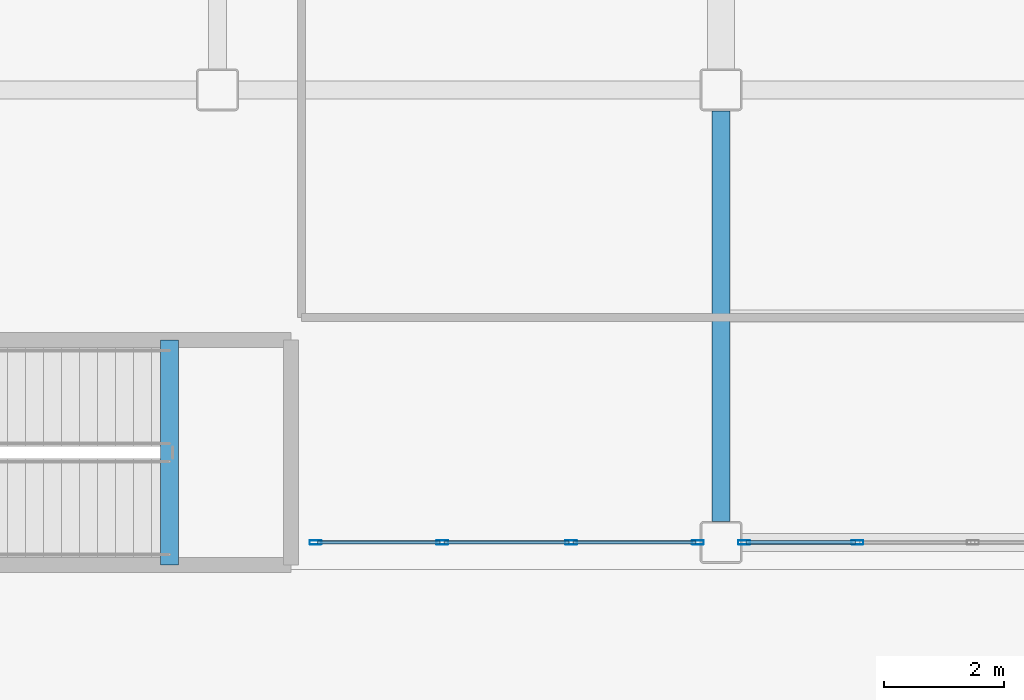
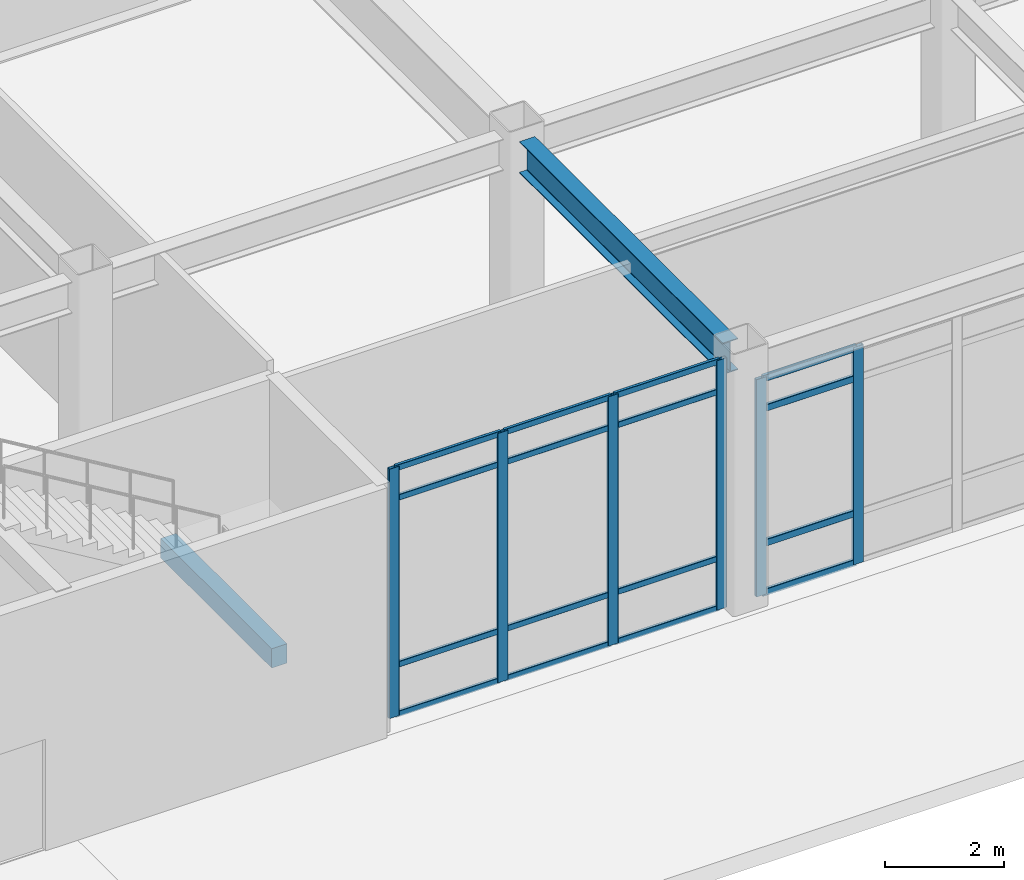
# One storey, part 9 of 165: 22 members, 2 beams, 2 elements without a shape of their own.
"""IFC4 building model written with IfcOpenShell, lengths in metres."""

import ifcopenshell
import ifcopenshell.guid

model = None  # the IFC model being written
_history = None  # IfcOwnerHistory: only IFC2X3 demands one
_inside = {}  # id of a spatial element -> (the spatial element, [elements in it])
_under = {}  # id of a project, library or spatial element -> (it, [spatial elements below it])
_declared = {}  # id of a project -> (the project, [libraries it declares])
_typed = {}  # id of a type object -> (the type object, [elements of that type])
_made_of = {}  # id of a material, layer set ... -> (it, [elements and type objects made of it])


def new_model(schema):
    """Start an empty IFC model of exactly this schema.

    Asked for "IFC4X3", IfcOpenShell would pick the latest addendum, in which some entities
    have other attributes; the version numbers below select the first issue.
    IFC2X3 requires an IfcOwnerHistory on every rooted entity: one is made here for all.
    """
    global model, _history
    if schema == "IFC4X3":
        model = ifcopenshell.file(schema_version=(4, 3, 0, 0))
    else:
        model = ifcopenshell.file(schema=schema)
    _inside.clear()
    _under.clear()
    _declared.clear()
    _typed.clear()
    _made_of.clear()
    _history = None
    if model.schema == "IFC2X3":
        org = make("IfcOrganization", Name="unknown")
        user = make(
            "IfcPersonAndOrganization",
            ThePerson=make("IfcPerson", FamilyName="unknown"),
            TheOrganization=org,
        )
        app = make(
            "IfcApplication",
            ApplicationDeveloper=org,
            Version="unknown",
            ApplicationFullName="unknown",
            ApplicationIdentifier="unknown",
        )
        _history = make(
            "IfcOwnerHistory",
            OwningUser=user,
            OwningApplication=app,
            ChangeAction="ADDED",
            CreationDate=0,
        )
    return model


def make(cls, **values):
    """One entity of the class cls with the attributes given. An attribute that is None is left unset."""
    return model.create_entity(
        cls, **{name: value for name, value in values.items() if value is not None}
    )


def rooted(cls, **values):
    """An entity with a GlobalId (a new one), such as an element, a storey or a relation."""
    return make(cls, GlobalId=ifcopenshell.guid.new(), OwnerHistory=_history, **values)


def si_unit(unit_type, name, prefix=None):
    """IfcSIUnit, for example si_unit("LENGTHUNIT", "METRE", prefix="MILLI")."""
    return make("IfcSIUnit", UnitType=unit_type, Prefix=prefix, Name=name)


def assignment(units):
    """IfcUnitAssignment: the units of a project."""
    return None if units is None else make("IfcUnitAssignment", Units=units)


def point(xyz):
    """IfcCartesianPoint."""
    return None if xyz is None else make("IfcCartesianPoint", Coordinates=xyz)


def direction(xyz):
    """IfcDirection."""
    return None if xyz is None else make("IfcDirection", DirectionRatios=xyz)


def frame(location, z_axis=None, x_axis=None):
    """IfcAxis2Placement3D, a coordinate frame: its origin and axes. An axis left out is left unset."""
    return make(
        "IfcAxis2Placement3D",
        Location=point(location),
        Axis=direction(z_axis),
        RefDirection=direction(x_axis),
    )


def frame_2d(location, x_axis=None):
    """IfcAxis2Placement2D, a coordinate frame in the plane: its origin and x axis."""
    return make(
        "IfcAxis2Placement2D", Location=point(location), RefDirection=direction(x_axis)
    )


def origin():
    """The frame at (0, 0, 0) with its axes left unset."""
    return frame((0.0, 0.0, 0.0))


def origin_2d():
    """The frame at (0, 0) in the plane with its x axis left unset."""
    return frame_2d((0.0, 0.0))


def place(relative_to, where):
    """IfcLocalPlacement: puts the frame where relative to a parent placement (None: the world)."""
    return make(
        "IfcLocalPlacement", PlacementRelTo=relative_to, RelativePlacement=where
    )


def context(
    kind, dimensions, precision=None, world=None, true_north=None, identifier=None
):
    """IfcGeometricRepresentationContext, for example the 3D "Model" context."""
    return make(
        "IfcGeometricRepresentationContext",
        ContextIdentifier=identifier,
        ContextType=kind,
        CoordinateSpaceDimension=dimensions,
        Precision=precision,
        WorldCoordinateSystem=world,
        TrueNorth=true_north,
    )


def subcontext(parent, identifier, kind, view, scale=None):
    """IfcGeometricRepresentationSubContext, for example "Body" below "Model"."""
    return make(
        "IfcGeometricRepresentationSubContext",
        ContextIdentifier=identifier,
        ContextType=kind,
        ParentContext=parent,
        TargetScale=scale,
        TargetView=view,
    )


def project(units=None, contexts=None):
    """IfcProject with its units and contexts."""
    return rooted(
        "IfcProject",
        Name="project",
        RepresentationContexts=contexts,
        UnitsInContext=assignment(units),
    )


def spatial(cls, under=None, at=None, **own):
    """A site, building, storey or space (cls), placed at a placement, below another one or the project."""
    s = rooted(cls, ObjectPlacement=at, **own)
    if under is not None:
        _under.setdefault(under.id(), (under, []))[1].append(s)
    return s


def profile(cls, at=None, kind="AREA", **sizes):
    """A parametric profile (cls). Its sizes go by their IFC names, for example OverallWidth=200.0."""
    return make(cls, ProfileType=kind, Position=at, **sizes)


def rectangle(**sizes):
    """IfcRectangleProfileDef."""
    return profile("IfcRectangleProfileDef", **sizes)


def hollow_rectangle(**sizes):
    """IfcRectangleHollowProfileDef."""
    return profile("IfcRectangleHollowProfileDef", **sizes)


def i_section(**sizes):
    """IfcIShapeProfileDef."""
    return profile("IfcIShapeProfileDef", **sizes)


def extrude(swept, where, along, depth):
    """IfcExtrudedAreaSolid: the profile swept, set in the frame where, extruded along a direction by depth."""
    return make(
        "IfcExtrudedAreaSolid",
        SweptArea=swept,
        Position=where,
        ExtrudedDirection=direction(along),
        Depth=depth,
    )


def shape(context_of_items, identifier, shape_type, items):
    """IfcShapeRepresentation: the items that make up one representation, for example the "Body"."""
    return make(
        "IfcShapeRepresentation",
        ContextOfItems=context_of_items,
        RepresentationIdentifier=identifier,
        RepresentationType=shape_type,
        Items=items,
    )


def material(Name=None, Category=None):
    """IfcMaterial."""
    return make("IfcMaterial", Name=Name, Category=Category)


def layer(
    of_material, thickness, ventilated=None, Name=None, Category=None, Priority=None
):
    """IfcMaterialLayer: one layer of a wall or slab, of a material (None: an air gap)."""
    return make(
        "IfcMaterialLayer",
        Material=of_material,
        LayerThickness=thickness,
        IsVentilated=ventilated,
        Name=Name,
        Category=Category,
        Priority=Priority,
    )


def layer_set(layers, Name=None):
    """IfcMaterialLayerSet."""
    return make("IfcMaterialLayerSet", MaterialLayers=layers, LayerSetName=Name)


def material_profile(
    of_material, cross_section, Name=None, Category=None, Priority=None
):
    """IfcMaterialProfile: a cross section and its material."""
    return make(
        "IfcMaterialProfile",
        Name=Name,
        Material=of_material,
        Profile=cross_section,
        Priority=Priority,
        Category=Category,
    )


def profile_set(profiles, Name=None, composite=None):
    """IfcMaterialProfileSet."""
    return make(
        "IfcMaterialProfileSet",
        Name=Name,
        MaterialProfiles=profiles,
        CompositeProfile=composite,
    )


def made_of(thing, what):
    """Note that an element or type object is made of a material, layer set ...; save() writes the relation."""
    if what is not None:
        _made_of.setdefault(what.id(), (what, []))[1].append(thing)
    return thing


def type_object(cls, material=None, **own):
    """A type object (cls), such as IfcWallType, which elements share."""
    return made_of(rooted(cls, **own), material)


def element(
    cls,
    number,
    at=None,
    inside=None,
    cuts=None,
    type_object=None,
    material=None,
    context=None,
    identifier="Body",
    shape_type=None,
    held_by="IfcProductDefinitionShape",
    body=None,
    shapes=None,
    **own,
):
    """One element of the class cls, such as IfcWall. Its Tag is "e" and its number.

    at: its placement. inside: the storey or other place that contains it. cuts: it is an
    opening in that element (IfcRelVoidsElement). A single representation is given by context,
    identifier, shape_type and body (its items); several are given by shapes. held_by: the class
    of the entity that holds the representations. save() writes the other relations.
    """
    e = rooted(cls, Tag="e%d" % number, ObjectPlacement=at, **own)
    if body is not None:
        shapes = [shape(context, identifier, shape_type, body)]
    if shapes is not None:
        e.Representation = make(held_by, Representations=shapes)
    if inside is not None:
        _inside.setdefault(inside.id(), (inside, []))[1].append(e)
    if cuts is not None:
        rooted(
            "IfcRelVoidsElement", RelatingBuildingElement=cuts, RelatedOpeningElement=e
        )
    if type_object is not None:
        _typed.setdefault(type_object.id(), (type_object, []))[1].append(e)
    return made_of(e, material)


def aggregate(whole, parts):
    """IfcRelAggregates: a whole, such as a stair, and the parts it consists of."""
    return rooted("IfcRelAggregates", RelatingObject=whole, RelatedObjects=parts)


def save(model, path):
    """Write the relations noted so far, then the file.

    IfcRelAggregates (storeys below a building ...), IfcRelContainedInSpatialStructure (elements
    in a storey), IfcRelDefinesByType, IfcRelAssociatesMaterial and IfcRelDeclares: one each for
    every whole, place, type object, material and project.
    """
    for whole, parts in _under.values():
        aggregate(whole, parts)
    for where, things in _inside.values():
        rooted(
            "IfcRelContainedInSpatialStructure",
            RelatedElements=things,
            RelatingStructure=where,
        )
    for kind, things in _typed.values():
        rooted("IfcRelDefinesByType", RelatedObjects=things, RelatingType=kind)
    for what, things in _made_of.values():
        rooted("IfcRelAssociatesMaterial", RelatedObjects=things, RelatingMaterial=what)
    for by, libraries in _declared.values():
        rooted("IfcRelDeclares", RelatingContext=by, RelatedDefinitions=libraries)
    model.write(path)


model = new_model("IFC4")

# Units and contexts
model_context = context("Model", 3, precision=1e-05, world=origin(), true_north=direction((0.0, 1.0)))
body_context = subcontext(model_context, "Body", "Model", "MODEL_VIEW")
ifc_project = project(units=[si_unit("LENGTHUNIT", "METRE"), si_unit("AREAUNIT", "SQUARE_METRE"), si_unit("VOLUMEUNIT", "CUBIC_METRE"), si_unit("PLANEANGLEUNIT", "RADIAN"), si_unit("MASSUNIT", "GRAM", prefix="KILO")], contexts=[model_context])

# Site, building, storey
site_placement = place(None, origin())
site = spatial("IfcSite", under=ifc_project, at=site_placement, CompositionType="ELEMENT")
building_placement = place(site_placement, origin())
building = spatial("IfcBuilding", under=site, at=building_placement, Name="Kazehara Bluff Congress Hotel", CompositionType="ELEMENT")
storey_placement = place(building_placement, origin())
storey = spatial("IfcBuildingStorey", under=building, at=storey_placement, Name="L00", CompositionType="ELEMENT", Elevation=0.0)

# Curtain wall, members
ifc_material_1 = material(Name="Anodised aluminium", Category="aluminium")
ifc_layer_1 = layer(ifc_material_1, 0.159912109375)
ifc_layer_set_1 = layer_set([ifc_layer_1], Name="Anodised aluminium")
curtain_wall_type_1 = type_object("IfcCurtainWallType", Name="TP-CW-25", PredefinedType="NOTDEFINED", material=ifc_layer_set_1)
curtain_wall_1_placement = place(storey_placement, origin())
curtain_wall_1 = element("IfcCurtainWall", 1, at=curtain_wall_1_placement, inside=storey, type_object=curtain_wall_type_1, Name="L00 curtain wall CW-25 CW-V2-L00-Y45-1840", PredefinedType="NOTDEFINED")
ifc_material_2 = material(Name="Anodised aluminium", Category="aluminium")
ifc_material_profile_1 = material_profile(ifc_material_2, hollow_rectangle(XDim=0.070068359375, YDim=0.199951171875, WallThickness=0.0048828125, InnerFilletRadius=0.0048828125, OuterFilletRadius=0.010009765625, at=origin_2d()))
ifc_profile_set_1 = profile_set([ifc_material_profile_1], Name="Anodised aluminium")
member_type_1 = type_object("IfcMemberType", Name="TP-CWM-03", PredefinedType="MULLION", material=ifc_profile_set_1)
member_1_placement = place(storey_placement, frame((18.43505859375, 0.449951171875, 0.0), z_axis=(0.0, 0.0, 1.0), x_axis=(0.0, 1.0, 0.0)))
member_1 = element("IfcMember", 2, at=member_1_placement, type_object=member_type_1, Name="CW-25 mullion 1", PredefinedType="MULLION", context=body_context, shape_type="SweptSolid", body=[
    extrude(hollow_rectangle(XDim=0.070068359375, YDim=0.199951171875, WallThickness=0.0048828125, InnerFilletRadius=0.0048828125, OuterFilletRadius=0.010009765625, at=origin_2d()), origin(), (0.0, 0.0, 1.0), 5.135009765625),
])
member_2_placement = place(storey_placement, frame((20.550048828125, 0.449951171875, 0.0), z_axis=(0.0, 0.0, 1.0), x_axis=(0.0, 1.0, 0.0)))
member_2 = element("IfcMember", 3, at=member_2_placement, type_object=member_type_1, Name="CW-25 mullion 2", PredefinedType="MULLION", context=body_context, shape_type="SweptSolid", body=[
    extrude(hollow_rectangle(XDim=0.070068359375, YDim=0.199951171875, WallThickness=0.0048828125, InnerFilletRadius=0.0048828125, OuterFilletRadius=0.010009765625, at=origin_2d()), origin(), (0.0, 0.0, 1.0), 5.135009765625),
])
member_3_placement = place(storey_placement, frame((22.699951171875, 0.449951171875, 0.0), z_axis=(0.0, 0.0, 1.0), x_axis=(0.0, 1.0, 0.0)))
member_3 = element("IfcMember", 4, at=member_3_placement, type_object=member_type_1, Name="CW-25 mullion 3", PredefinedType="MULLION", context=body_context, shape_type="SweptSolid", body=[
    extrude(hollow_rectangle(XDim=0.070068359375, YDim=0.199951171875, WallThickness=0.0048828125, InnerFilletRadius=0.0048828125, OuterFilletRadius=0.010009765625, at=origin_2d()), origin(), (0.0, 0.0, 1.0), 5.135009765625),
])
member_4_placement = place(storey_placement, frame((24.81494140625, 0.449951171875, 0.0), z_axis=(0.0, 0.0, 1.0), x_axis=(0.0, 1.0, 0.0)))
member_4 = element("IfcMember", 5, at=member_4_placement, type_object=member_type_1, Name="CW-25 mullion 4", PredefinedType="MULLION", context=body_context, shape_type="SweptSolid", body=[
    extrude(hollow_rectangle(XDim=0.070068359375, YDim=0.199951171875, WallThickness=0.0048828125, InnerFilletRadius=0.0048828125, OuterFilletRadius=0.010009765625, at=origin_2d()), origin(), (0.0, 0.0, 1.0), 5.135009765625),
])

ifc_material_3 = material(Name="Anodised aluminium", Category="aluminium")
ifc_layer_2 = layer(ifc_material_3, 0.159912109375)
ifc_layer_set_2 = layer_set([ifc_layer_2], Name="Anodised aluminium")
curtain_wall_type_2 = type_object("IfcCurtainWallType", Name="TP-CW-26", PredefinedType="NOTDEFINED", material=ifc_layer_set_2)
curtain_wall_2_placement = place(storey_placement, origin())
curtain_wall_2 = element("IfcCurtainWall", 6, at=curtain_wall_2_placement, inside=storey, type_object=curtain_wall_type_2, Name="L00 curtain wall CW-26 CW-V2-L00-Y45-2555", PredefinedType="NOTDEFINED")
member_5_placement = place(storey_placement, frame((25.5849609375, 0.449951171875, 0.0), z_axis=(0.0, 0.0, 1.0), x_axis=(0.0, 1.0, 0.0)))
member_5 = element("IfcMember", 7, at=member_5_placement, type_object=member_type_1, Name="CW-26 mullion 1", PredefinedType="MULLION", context=body_context, shape_type="SweptSolid", body=[
    extrude(hollow_rectangle(XDim=0.070068359375, YDim=0.199951171875, WallThickness=0.0048828125, InnerFilletRadius=0.0048828125, OuterFilletRadius=0.010009765625, at=origin_2d()), origin(), (0.0, 0.0, 1.0), 4.47509765625),
])
member_6_placement = place(storey_placement, frame((27.47509765625, 0.449951171875, 0.0), z_axis=(0.0, 0.0, 1.0), x_axis=(0.0, 1.0, 0.0)))
member_6 = element("IfcMember", 8, at=member_6_placement, type_object=member_type_1, Name="CW-26 mullion 2", PredefinedType="MULLION", context=body_context, shape_type="SweptSolid", body=[
    extrude(hollow_rectangle(XDim=0.070068359375, YDim=0.199951171875, WallThickness=0.0048828125, InnerFilletRadius=0.0048828125, OuterFilletRadius=0.010009765625, at=origin_2d()), origin(), (0.0, 0.0, 1.0), 4.47509765625),
])

# Member
ifc_material_4 = material(Name="Anodised aluminium", Category="aluminium")
ifc_material_profile_2 = material_profile(ifc_material_4, hollow_rectangle(XDim=0.06005859375, YDim=0.1201171875, WallThickness=0.00390625, InnerFilletRadius=0.00390625, OuterFilletRadius=0.008056640625, at=origin_2d()))
ifc_profile_set_2 = profile_set([ifc_material_profile_2], Name="Anodised aluminium")
member_type_2 = type_object("IfcMemberType", Name="TP-CWT-01", PredefinedType="USERDEFINED", material=ifc_profile_set_2)
member_7_placement = place(storey_placement, frame((18.469970703125, 0.449951171875, 0.030029296875), z_axis=(1.0, 0.0, 0.0), x_axis=(0.0, 1.0, 0.0)))
member_7 = element("IfcMember", 9, at=member_7_placement, type_object=member_type_2, Name="CW-25 transom 1.1", ObjectType="TRANSOM", PredefinedType="USERDEFINED", context=body_context, shape_type="SweptSolid", body=[
    extrude(hollow_rectangle(XDim=0.06005859375, YDim=0.1201171875, WallThickness=0.00390625, InnerFilletRadius=0.00390625, OuterFilletRadius=0.008056640625, at=origin_2d()), origin(), (0.0, 0.0, 1.0), 2.044921875),
])

member_8_placement = place(storey_placement, frame((18.469970703125, 0.449951171875, 1.050048828125), z_axis=(1.0, 0.0, 0.0), x_axis=(0.0, 1.0, 0.0)))
member_8 = element("IfcMember", 10, at=member_8_placement, type_object=member_type_2, Name="CW-25 transom 1.2", ObjectType="TRANSOM", PredefinedType="USERDEFINED", context=body_context, shape_type="SweptSolid", body=[
    extrude(hollow_rectangle(XDim=0.06005859375, YDim=0.1201171875, WallThickness=0.00390625, InnerFilletRadius=0.00390625, OuterFilletRadius=0.008056640625, at=origin_2d()), origin(), (0.0, 0.0, 1.0), 2.044921875),
])

member_9_placement = place(storey_placement, frame((18.469970703125, 0.449951171875, 4.485107421875), z_axis=(1.0, 0.0, 0.0), x_axis=(0.0, 1.0, 0.0)))
member_9 = element("IfcMember", 11, at=member_9_placement, type_object=member_type_2, Name="CW-25 transom 1.3", ObjectType="TRANSOM", PredefinedType="USERDEFINED", context=body_context, shape_type="SweptSolid", body=[
    extrude(hollow_rectangle(XDim=0.06005859375, YDim=0.1201171875, WallThickness=0.00390625, InnerFilletRadius=0.00390625, OuterFilletRadius=0.008056640625, at=origin_2d()), origin(), (0.0, 0.0, 1.0), 2.044921875),
])

member_10_placement = place(storey_placement, frame((18.469970703125, 0.449951171875, 5.10498046875), z_axis=(1.0, 0.0, 0.0), x_axis=(0.0, 1.0, 0.0)))
member_10 = element("IfcMember", 12, at=member_10_placement, type_object=member_type_2, Name="CW-25 transom 1.4", ObjectType="TRANSOM", PredefinedType="USERDEFINED", context=body_context, shape_type="SweptSolid", body=[
    extrude(hollow_rectangle(XDim=0.06005859375, YDim=0.1201171875, WallThickness=0.00390625, InnerFilletRadius=0.00390625, OuterFilletRadius=0.008056640625, at=origin_2d()), origin(), (0.0, 0.0, 1.0), 2.044921875),
])

member_11_placement = place(storey_placement, frame((20.5849609375, 0.449951171875, 0.030029296875), z_axis=(1.0, 0.0, 0.0), x_axis=(0.0, 1.0, 0.0)))
member_11 = element("IfcMember", 13, at=member_11_placement, type_object=member_type_2, Name="CW-25 transom 2.1", ObjectType="TRANSOM", PredefinedType="USERDEFINED", context=body_context, shape_type="SweptSolid", body=[
    extrude(hollow_rectangle(XDim=0.06005859375, YDim=0.1201171875, WallThickness=0.00390625, InnerFilletRadius=0.00390625, OuterFilletRadius=0.008056640625, at=origin_2d()), origin(), (0.0, 0.0, 1.0), 2.080078125),
])

member_12_placement = place(storey_placement, frame((20.5849609375, 0.449951171875, 1.050048828125), z_axis=(1.0, 0.0, 0.0), x_axis=(0.0, 1.0, 0.0)))
member_12 = element("IfcMember", 14, at=member_12_placement, type_object=member_type_2, Name="CW-25 transom 2.2", ObjectType="TRANSOM", PredefinedType="USERDEFINED", context=body_context, shape_type="SweptSolid", body=[
    extrude(hollow_rectangle(XDim=0.06005859375, YDim=0.1201171875, WallThickness=0.00390625, InnerFilletRadius=0.00390625, OuterFilletRadius=0.008056640625, at=origin_2d()), origin(), (0.0, 0.0, 1.0), 2.080078125),
])

member_13_placement = place(storey_placement, frame((20.5849609375, 0.449951171875, 4.485107421875), z_axis=(1.0, 0.0, 0.0), x_axis=(0.0, 1.0, 0.0)))
member_13 = element("IfcMember", 15, at=member_13_placement, type_object=member_type_2, Name="CW-25 transom 2.3", ObjectType="TRANSOM", PredefinedType="USERDEFINED", context=body_context, shape_type="SweptSolid", body=[
    extrude(hollow_rectangle(XDim=0.06005859375, YDim=0.1201171875, WallThickness=0.00390625, InnerFilletRadius=0.00390625, OuterFilletRadius=0.008056640625, at=origin_2d()), origin(), (0.0, 0.0, 1.0), 2.080078125),
])

member_14_placement = place(storey_placement, frame((20.5849609375, 0.449951171875, 5.10498046875), z_axis=(1.0, 0.0, 0.0), x_axis=(0.0, 1.0, 0.0)))
member_14 = element("IfcMember", 16, at=member_14_placement, type_object=member_type_2, Name="CW-25 transom 2.4", ObjectType="TRANSOM", PredefinedType="USERDEFINED", context=body_context, shape_type="SweptSolid", body=[
    extrude(hollow_rectangle(XDim=0.06005859375, YDim=0.1201171875, WallThickness=0.00390625, InnerFilletRadius=0.00390625, OuterFilletRadius=0.008056640625, at=origin_2d()), origin(), (0.0, 0.0, 1.0), 2.080078125),
])

member_15_placement = place(storey_placement, frame((22.735107421875, 0.449951171875, 0.030029296875), z_axis=(1.0, 0.0, 0.0), x_axis=(0.0, 1.0, 0.0)))
member_15 = element("IfcMember", 17, at=member_15_placement, type_object=member_type_2, Name="CW-25 transom 3.1", ObjectType="TRANSOM", PredefinedType="USERDEFINED", context=body_context, shape_type="SweptSolid", body=[
    extrude(hollow_rectangle(XDim=0.06005859375, YDim=0.1201171875, WallThickness=0.00390625, InnerFilletRadius=0.00390625, OuterFilletRadius=0.008056640625, at=origin_2d()), origin(), (0.0, 0.0, 1.0), 2.044921875),
])

member_16_placement = place(storey_placement, frame((22.735107421875, 0.449951171875, 1.050048828125), z_axis=(1.0, 0.0, 0.0), x_axis=(0.0, 1.0, 0.0)))
member_16 = element("IfcMember", 18, at=member_16_placement, type_object=member_type_2, Name="CW-25 transom 3.2", ObjectType="TRANSOM", PredefinedType="USERDEFINED", context=body_context, shape_type="SweptSolid", body=[
    extrude(hollow_rectangle(XDim=0.06005859375, YDim=0.1201171875, WallThickness=0.00390625, InnerFilletRadius=0.00390625, OuterFilletRadius=0.008056640625, at=origin_2d()), origin(), (0.0, 0.0, 1.0), 2.044921875),
])

member_17_placement = place(storey_placement, frame((22.735107421875, 0.449951171875, 4.485107421875), z_axis=(1.0, 0.0, 0.0), x_axis=(0.0, 1.0, 0.0)))
member_17 = element("IfcMember", 19, at=member_17_placement, type_object=member_type_2, Name="CW-25 transom 3.3", ObjectType="TRANSOM", PredefinedType="USERDEFINED", context=body_context, shape_type="SweptSolid", body=[
    extrude(hollow_rectangle(XDim=0.06005859375, YDim=0.1201171875, WallThickness=0.00390625, InnerFilletRadius=0.00390625, OuterFilletRadius=0.008056640625, at=origin_2d()), origin(), (0.0, 0.0, 1.0), 2.044921875),
])

member_18_placement = place(storey_placement, frame((22.735107421875, 0.449951171875, 5.10498046875), z_axis=(1.0, 0.0, 0.0), x_axis=(0.0, 1.0, 0.0)))
member_18 = element("IfcMember", 20, at=member_18_placement, type_object=member_type_2, Name="CW-25 transom 3.4", ObjectType="TRANSOM", PredefinedType="USERDEFINED", context=body_context, shape_type="SweptSolid", body=[
    extrude(hollow_rectangle(XDim=0.06005859375, YDim=0.1201171875, WallThickness=0.00390625, InnerFilletRadius=0.00390625, OuterFilletRadius=0.008056640625, at=origin_2d()), origin(), (0.0, 0.0, 1.0), 2.044921875),
])

aggregate(curtain_wall_1, [member_1, member_2, member_3, member_4, member_7, member_8, member_9, member_10, member_11, member_12, member_13, member_14, member_15, member_16, member_17, member_18])

ifc_material_5 = material(Name="Anodised aluminium", Category="aluminium")
ifc_material_profile_3 = material_profile(ifc_material_5, hollow_rectangle(XDim=0.06494140625, YDim=0.139892578125, WallThickness=0.00390625, InnerFilletRadius=0.00390625, OuterFilletRadius=0.008056640625, at=origin_2d()))
ifc_profile_set_3 = profile_set([ifc_material_profile_3], Name="Anodised aluminium")
member_type_3 = type_object("IfcMemberType", Name="TP-CWT-02", PredefinedType="USERDEFINED", material=ifc_profile_set_3)
member_19_placement = place(storey_placement, frame((25.6201171875, 0.449951171875, 0.032470703125), z_axis=(1.0, 0.0, 0.0), x_axis=(0.0, 1.0, 0.0)))
member_19 = element("IfcMember", 21, at=member_19_placement, type_object=member_type_3, Name="CW-26 transom 1.1", ObjectType="TRANSOM", PredefinedType="USERDEFINED", context=body_context, shape_type="SweptSolid", body=[
    extrude(hollow_rectangle(XDim=0.06494140625, YDim=0.139892578125, WallThickness=0.00390625, InnerFilletRadius=0.00390625, OuterFilletRadius=0.008056640625, at=origin_2d()), origin(), (0.0, 0.0, 1.0), 1.81982421875),
])

member_20_placement = place(storey_placement, frame((25.6201171875, 0.449951171875, 1.050048828125), z_axis=(1.0, 0.0, 0.0), x_axis=(0.0, 1.0, 0.0)))
member_20 = element("IfcMember", 22, at=member_20_placement, type_object=member_type_3, Name="CW-26 transom 1.2", ObjectType="TRANSOM", PredefinedType="USERDEFINED", context=body_context, shape_type="SweptSolid", body=[
    extrude(hollow_rectangle(XDim=0.06494140625, YDim=0.139892578125, WallThickness=0.00390625, InnerFilletRadius=0.00390625, OuterFilletRadius=0.008056640625, at=origin_2d()), origin(), (0.0, 0.0, 1.0), 1.81982421875),
])

member_21_placement = place(storey_placement, frame((25.6201171875, 0.449951171875, 3.824951171875), z_axis=(1.0, 0.0, 0.0), x_axis=(0.0, 1.0, 0.0)))
member_21 = element("IfcMember", 23, at=member_21_placement, type_object=member_type_3, Name="CW-26 transom 1.3", ObjectType="TRANSOM", PredefinedType="USERDEFINED", context=body_context, shape_type="SweptSolid", body=[
    extrude(hollow_rectangle(XDim=0.06494140625, YDim=0.139892578125, WallThickness=0.00390625, InnerFilletRadius=0.00390625, OuterFilletRadius=0.008056640625, at=origin_2d()), origin(), (0.0, 0.0, 1.0), 1.81982421875),
])

member_22_placement = place(storey_placement, frame((25.6201171875, 0.449951171875, 4.4423828125), z_axis=(1.0, 0.0, 0.0), x_axis=(0.0, 1.0, 0.0)))
member_22 = element("IfcMember", 24, at=member_22_placement, type_object=member_type_3, Name="CW-26 transom 1.4", ObjectType="TRANSOM", PredefinedType="USERDEFINED", context=body_context, shape_type="SweptSolid", body=[
    extrude(hollow_rectangle(XDim=0.06494140625, YDim=0.139892578125, WallThickness=0.00390625, InnerFilletRadius=0.00390625, OuterFilletRadius=0.008056640625, at=origin_2d()), origin(), (0.0, 0.0, 1.0), 1.81982421875),
])

aggregate(curtain_wall_2, [member_5, member_6, member_19, member_20, member_21, member_22])

# Beams
ifc_material_6 = material(Name="Steel SN490B", Category="steel")
ifc_material_profile_4 = material_profile(ifc_material_6, i_section(OverallWidth=0.300048828125, OverallDepth=0.64990234375, WebThickness=0.011962890625, FlangeThickness=0.02001953125, FilletRadius=0.012939453125, at=origin_2d()))
ifc_profile_set_4 = profile_set([ifc_material_profile_4], Name="Steel SN490B")
beam_type_1 = type_object("IfcBeamType", Name="TP-G-03", PredefinedType="BEAM", material=ifc_profile_set_4)
beam_1_placement = place(storey_placement, frame((25.199951171875, 0.800048828125, 4.824951171875), z_axis=(0.0, 1.0, 0.0), x_axis=(-1.0, 0.0, 0.0)))
element("IfcBeam", 25, at=beam_1_placement, inside=storey, type_object=beam_type_1, Name="L00 girder G-03 52", PredefinedType="BEAM", context=body_context, shape_type="SweptSolid", body=[
    extrude(i_section(OverallWidth=0.300048828125, OverallDepth=0.64990234375, WebThickness=0.011962890625, FlangeThickness=0.02001953125, FilletRadius=0.012939453125, at=origin_2d()), origin(), (0.0, 0.0, 1.0), 6.849853515625),
])
ifc_material_7 = material(Name="Concrete C40/50", Category="concrete")
ifc_material_profile_5 = material_profile(ifc_material_7, rectangle(XDim=0.300048828125, YDim=0.39990234375, at=origin_2d()))
ifc_profile_set_5 = profile_set([ifc_material_profile_5], Name="Concrete C40/50")
beam_type_2 = type_object("IfcBeamType", Name="TP-LN-02", PredefinedType="LINTEL", material=ifc_profile_set_5)
beam_2_placement = place(storey_placement, frame((16.0, 0.074951171875, 2.320068359375), z_axis=(0.0, 1.0, 0.0), x_axis=(-1.0, 0.0, 0.0)))
element("IfcBeam", 26, at=beam_2_placement, inside=storey, type_object=beam_type_2, Name="L00 ST-04 half-landing support beam 1", PredefinedType="LINTEL", context=body_context, shape_type="SweptSolid", body=[
    extrude(rectangle(XDim=0.300048828125, YDim=0.39990234375, at=origin_2d()), origin(), (0.0, 0.0, 1.0), 3.75),
])

save(model, "model.ifc")
